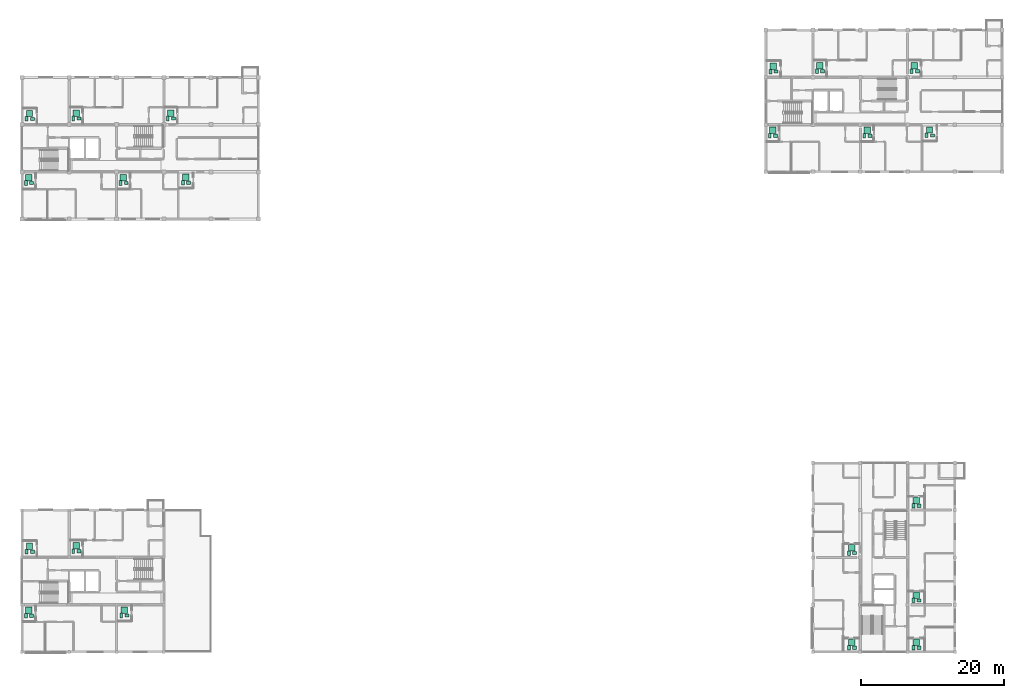
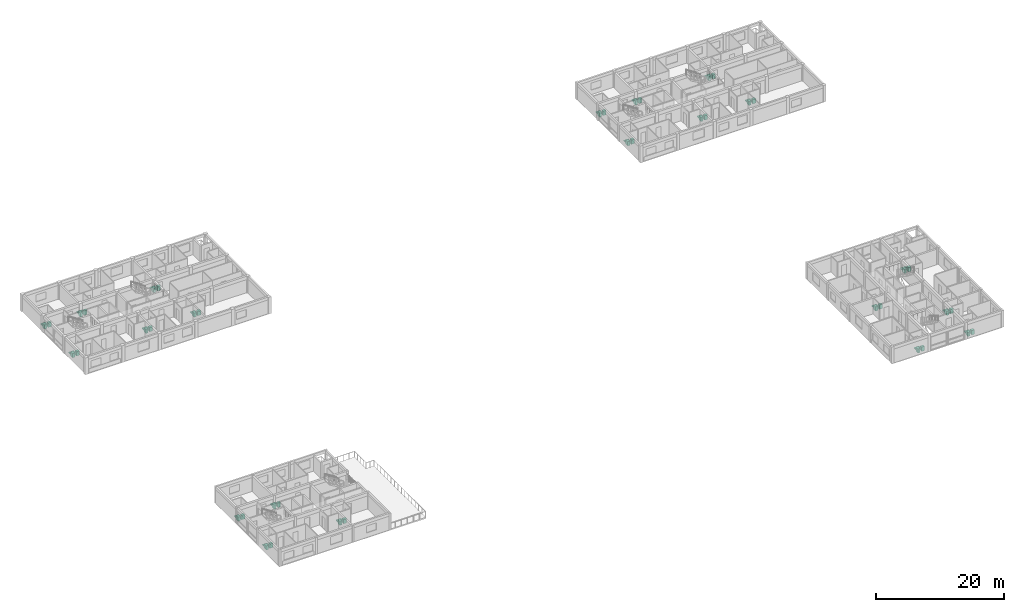
# One storey, part 46 of 46: 63 sanitary terminals.
"""IFC4 building model written with IfcOpenShell, lengths in metres."""

from ifc_helpers import new_model, si_unit, direction, frame, origin, origin_2d, place, context, subcontext, project, spatial, rectangle, extrude, material, type_object, element, save


model = new_model("IFC4")

# Units and contexts
model_context = context("Model", 3, precision=1e-05, world=origin(), true_north=direction((0.0, 1.0)))
body_context = subcontext(model_context, "Body", "Model", "MODEL_VIEW")
ifc_project = project(units=[si_unit("LENGTHUNIT", "METRE"), si_unit("AREAUNIT", "SQUARE_METRE"), si_unit("VOLUMEUNIT", "CUBIC_METRE"), si_unit("PLANEANGLEUNIT", "RADIAN"), si_unit("MASSUNIT", "GRAM", prefix="KILO")], contexts=[model_context])

# Site, building, storey
site_placement = place(None, origin())
site = spatial("IfcSite", under=ifc_project, at=site_placement, CompositionType="ELEMENT")
building_placement = place(site_placement, origin())
building = spatial("IfcBuilding", under=site, at=building_placement, Name="Kernevlak Ridge Housing Community", CompositionType="ELEMENT")
storey_placement = place(building_placement, frame((0.0, 0.0, 27.60009765625)))
storey = spatial("IfcBuildingStorey", under=building, at=storey_placement, Name="L08", CompositionType="ELEMENT", Elevation=27.60009765625)

# Sanitary terminals
ifc_material_1 = material(Name="Vitreous china ceramic")
sanitary_terminal_type_1 = type_object("IfcSanitaryTerminalType", Name="SN-BS", PredefinedType="WASHHANDBASIN", material=ifc_material_1)
for number, where, z_axis, x_axis, name in (
    (1, (16.949951171875, 81.050048828125, 0.0), (0.0, 0.0, 1.0), (1.0, 0.0, 0.0), "Washhand basin 43"),
    (2, (30.14990234375, 81.050048828125, 0.0), (0.0, 0.0, 1.0), (1.0, 0.0, 0.0), "Washhand basin 44"),
    (3, (38.85009765625, 81.10009765625, 0.0), (0.0, 0.0, 1.0), (1.0, 0.0, 0.0), "Washhand basin 45"),
    (4, (17.050048828125, 90.0, 0.0), (0.0, 0.0, 1.0), (1.0, 0.0, 0.0), "Washhand basin 46"),
    (5, (23.550048828125, 90.050048828125, 0.0), (0.0, 0.0, 1.0), (1.0, 0.0, 0.0), "Washhand basin 47"),
    (6, (36.75, 90.050048828125, 0.0), (0.0, 0.0, 1.0), (1.0, 0.0, 0.0), "Washhand basin 48"),
    (7, (120.75, 87.64990234375, 0.0), (0.0, 0.0, 1.0), (1.0, 0.0, 0.0), "Washhand basin 140"),
    (8, (133.949951171875, 87.64990234375, 0.0), (0.0, 0.0, 1.0), (1.0, 0.0, 0.0), "Washhand basin 141"),
    (9, (142.64990234375, 87.699951171875, 0.0), (0.0, 0.0, 1.0), (1.0, 0.0, 0.0), "Washhand basin 142"),
    (10, (120.85009765625, 96.60009765625, 0.0), (0.0, 0.0, 1.0), (1.0, 0.0, 0.0), "Washhand basin 143"),
    (11, (127.35009765625, 96.64990234375, 0.0), (0.0, 0.0, 1.0), (1.0, 0.0, 0.0), "Washhand basin 144"),
    (12, (140.550048828125, 96.64990234375, 0.0), (0.0, 0.0, 1.0), (1.0, 0.0, 0.0), "Washhand basin 145"),
    (13, (131.800048828125, 16.199951171875, 0.0), (0.0, 0.0, 1.0), (1.0, 0.0, 0.0), "Washhand basin 222"),
    (14, (131.800048828125, 29.39990234375, 0.0), (0.0, 0.0, 1.0), (1.0, 0.0, 0.0), "Washhand basin 223"),
    (15, (140.800048828125, 16.199951171875, 0.0), (0.0, 0.0, 1.0), (1.0, 0.0, 0.0), "Washhand basin 224"),
    (16, (140.800048828125, 22.800048828125, 0.0), (0.0, 0.0, 1.0), (1.0, 0.0, 0.0), "Washhand basin 225"),
    (17, (140.800048828125, 36.0, 0.0), (0.0, 0.0, 1.0), (1.0, 0.0, 0.0), "Washhand basin 226"),
    (18, (16.949951171875, 20.64990234375, 0.0), (0.0, 0.0, 1.0), (1.0, 0.0, 0.0), "Washhand basin 287"),
    (19, (30.25, 20.699951171875, 0.0), (0.0, 0.0, 1.0), (1.0, 0.0, 0.0), "Washhand basin 288"),
    (20, (17.050048828125, 29.60009765625, 0.0), (0.0, 0.0, 1.0), (1.0, 0.0, 0.0), "Washhand basin 289"),
    (21, (23.550048828125, 29.64990234375, 0.0), (0.0, 0.0, 1.0), (1.0, 0.0, 0.0), "Washhand basin 290"),
):
    element("IfcSanitaryTerminal", number, at=place(storey_placement, frame(where, z_axis=z_axis, x_axis=x_axis)), inside=storey, type_object=sanitary_terminal_type_1, Name=name, PredefinedType="WASHHANDBASIN", context=body_context, shape_type="SweptSolid", body=[
        extrude(rectangle(XDim=0.550048828125, YDim=0.449951171875, at=origin_2d()), origin(), (0.0, 0.0, 1.0), 0.820068359375),
    ])
ifc_material_2 = material(Name="Glazed porcelain ceramic")
sanitary_terminal_type_2 = type_object("IfcSanitaryTerminalType", Name="SN-SH", PredefinedType="SHOWER", material=ifc_material_2)
for number, where, z_axis, x_axis, name in (
    (22, (16.550048828125, 81.800048828125, -0.000244140625), (0.0, 0.0, 1.0), (1.0, 0.0, 0.0), "Shower tray 43"),
    (23, (29.75, 81.800048828125, -0.000244140625), (0.0, 0.0, 1.0), (1.0, 0.0, 0.0), "Shower tray 44"),
    (24, (38.449951171875, 81.85009765625, -0.000244140625), (0.0, 0.0, 1.0), (1.0, 0.0, 0.0), "Shower tray 45"),
    (25, (16.64990234375, 90.75, -0.000244140625), (0.0, 0.0, 1.0), (1.0, 0.0, 0.0), "Shower tray 46"),
    (26, (23.14990234375, 90.800048828125, -0.000244140625), (0.0, 0.0, 1.0), (1.0, 0.0, 0.0), "Shower tray 47"),
    (27, (36.35009765625, 90.800048828125, -0.000244140625), (0.0, 0.0, 1.0), (1.0, 0.0, 0.0), "Shower tray 48"),
    (28, (120.35009765625, 88.39990234375, -0.000244140625), (0.0, 0.0, 1.0), (1.0, 0.0, 0.0), "Shower tray 140"),
    (29, (133.550048828125, 88.39990234375, -0.000244140625), (0.0, 0.0, 1.0), (1.0, 0.0, 0.0), "Shower tray 141"),
    (30, (142.25, 88.449951171875, -0.000244140625), (0.0, 0.0, 1.0), (1.0, 0.0, 0.0), "Shower tray 142"),
    (31, (120.449951171875, 97.35009765625, -0.000244140625), (0.0, 0.0, 1.0), (1.0, 0.0, 0.0), "Shower tray 143"),
    (32, (126.949951171875, 97.39990234375, -0.000244140625), (0.0, 0.0, 1.0), (1.0, 0.0, 0.0), "Shower tray 144"),
    (33, (140.14990234375, 97.39990234375, -0.000244140625), (0.0, 0.0, 1.0), (1.0, 0.0, 0.0), "Shower tray 145"),
    (34, (131.39990234375, 16.949951171875, -0.000244140625), (0.0, 0.0, 1.0), (1.0, 0.0, 0.0), "Shower tray 222"),
    (35, (131.39990234375, 30.14990234375, -0.000244140625), (0.0, 0.0, 1.0), (1.0, 0.0, 0.0), "Shower tray 223"),
    (36, (140.39990234375, 16.949951171875, -0.000244140625), (0.0, 0.0, 1.0), (1.0, 0.0, 0.0), "Shower tray 224"),
    (37, (140.39990234375, 23.550048828125, -0.000244140625), (0.0, 0.0, 1.0), (1.0, 0.0, 0.0), "Shower tray 225"),
    (38, (140.39990234375, 36.75, -0.000244140625), (0.0, 0.0, 1.0), (1.0, 0.0, 0.0), "Shower tray 226"),
    (39, (16.550048828125, 21.39990234375, -0.000244140625), (0.0, 0.0, 1.0), (1.0, 0.0, 0.0), "Shower tray 287"),
    (40, (29.85009765625, 21.449951171875, -0.000244140625), (0.0, 0.0, 1.0), (1.0, 0.0, 0.0), "Shower tray 288"),
    (41, (16.64990234375, 30.35009765625, -0.000244140625), (0.0, 0.0, 1.0), (1.0, 0.0, 0.0), "Shower tray 289"),
    (42, (23.14990234375, 30.39990234375, -0.000244140625), (0.0, 0.0, 1.0), (1.0, 0.0, 0.0), "Shower tray 290"),
):
    element("IfcSanitaryTerminal", number, at=place(storey_placement, frame(where, z_axis=z_axis, x_axis=x_axis)), inside=storey, type_object=sanitary_terminal_type_2, Name=name, PredefinedType="SHOWER", context=body_context, shape_type="SweptSolid", body=[
        extrude(rectangle(XDim=0.89990234375, YDim=0.89990234375, at=origin_2d()), origin(), (0.0, 0.0, 1.0), 0.1201171875),
    ])
sanitary_terminal_type_3 = type_object("IfcSanitaryTerminalType", Name="SN-WC", PredefinedType="TOILETPAN", material=ifc_material_1)
for number, where, z_axis, x_axis, name in (
    (43, (16.14990234375, 81.050048828125, 0.0), (0.0, 0.0, 1.0), (1.0, 0.0, 0.0), "WC pan 43"),
    (44, (29.35009765625, 81.050048828125, 0.0), (0.0, 0.0, 1.0), (1.0, 0.0, 0.0), "WC pan 44"),
    (45, (38.050048828125, 81.10009765625, 0.0), (0.0, 0.0, 1.0), (1.0, 0.0, 0.0), "WC pan 45"),
    (46, (16.25, 90.0, 0.0), (0.0, 0.0, 1.0), (1.0, 0.0, 0.0), "WC pan 46"),
    (47, (22.75, 90.050048828125, 0.0), (0.0, 0.0, 1.0), (1.0, 0.0, 0.0), "WC pan 47"),
    (48, (35.949951171875, 90.050048828125, 0.0), (0.0, 0.0, 1.0), (1.0, 0.0, 0.0), "WC pan 48"),
    (49, (119.949951171875, 87.64990234375, 0.0), (0.0, 0.0, 1.0), (1.0, 0.0, 0.0), "WC pan 140"),
    (50, (133.14990234375, 87.64990234375, 0.0), (0.0, 0.0, 1.0), (1.0, 0.0, 0.0), "WC pan 141"),
    (51, (141.85009765625, 87.699951171875, 0.0), (0.0, 0.0, 1.0), (1.0, 0.0, 0.0), "WC pan 142"),
    (52, (120.050048828125, 96.60009765625, 0.0), (0.0, 0.0, 1.0), (1.0, 0.0, 0.0), "WC pan 143"),
    (53, (126.550048828125, 96.64990234375, 0.0), (0.0, 0.0, 1.0), (1.0, 0.0, 0.0), "WC pan 144"),
    (54, (139.75, 96.64990234375, 0.0), (0.0, 0.0, 1.0), (1.0, 0.0, 0.0), "WC pan 145"),
    (55, (131.0, 16.199951171875, 0.0), (0.0, 0.0, 1.0), (1.0, 0.0, 0.0), "WC pan 222"),
    (56, (131.0, 29.39990234375, 0.0), (0.0, 0.0, 1.0), (1.0, 0.0, 0.0), "WC pan 223"),
    (57, (140.0, 16.199951171875, 0.0), (0.0, 0.0, 1.0), (1.0, 0.0, 0.0), "WC pan 224"),
    (58, (140.0, 22.800048828125, 0.0), (0.0, 0.0, 1.0), (1.0, 0.0, 0.0), "WC pan 225"),
    (59, (140.0, 36.0, 0.0), (0.0, 0.0, 1.0), (1.0, 0.0, 0.0), "WC pan 226"),
    (60, (16.14990234375, 20.64990234375, 0.0), (0.0, 0.0, 1.0), (1.0, 0.0, 0.0), "WC pan 287"),
    (61, (29.449951171875, 20.699951171875, 0.0), (0.0, 0.0, 1.0), (1.0, 0.0, 0.0), "WC pan 288"),
    (62, (16.25, 29.60009765625, 0.0), (0.0, 0.0, 1.0), (1.0, 0.0, 0.0), "WC pan 289"),
    (63, (22.75, 29.64990234375, 0.0), (0.0, 0.0, 1.0), (1.0, 0.0, 0.0), "WC pan 290"),
):
    element("IfcSanitaryTerminal", number, at=place(storey_placement, frame(where, z_axis=z_axis, x_axis=x_axis)), inside=storey, type_object=sanitary_terminal_type_3, Name=name, PredefinedType="TOILETPAN", context=body_context, shape_type="SweptSolid", body=[
        extrude(rectangle(XDim=0.39990234375, YDim=0.64990234375, at=origin_2d()), origin(), (0.0, 0.0, 1.0), 0.780029296875),
    ])

save(model, "model.ifc")
